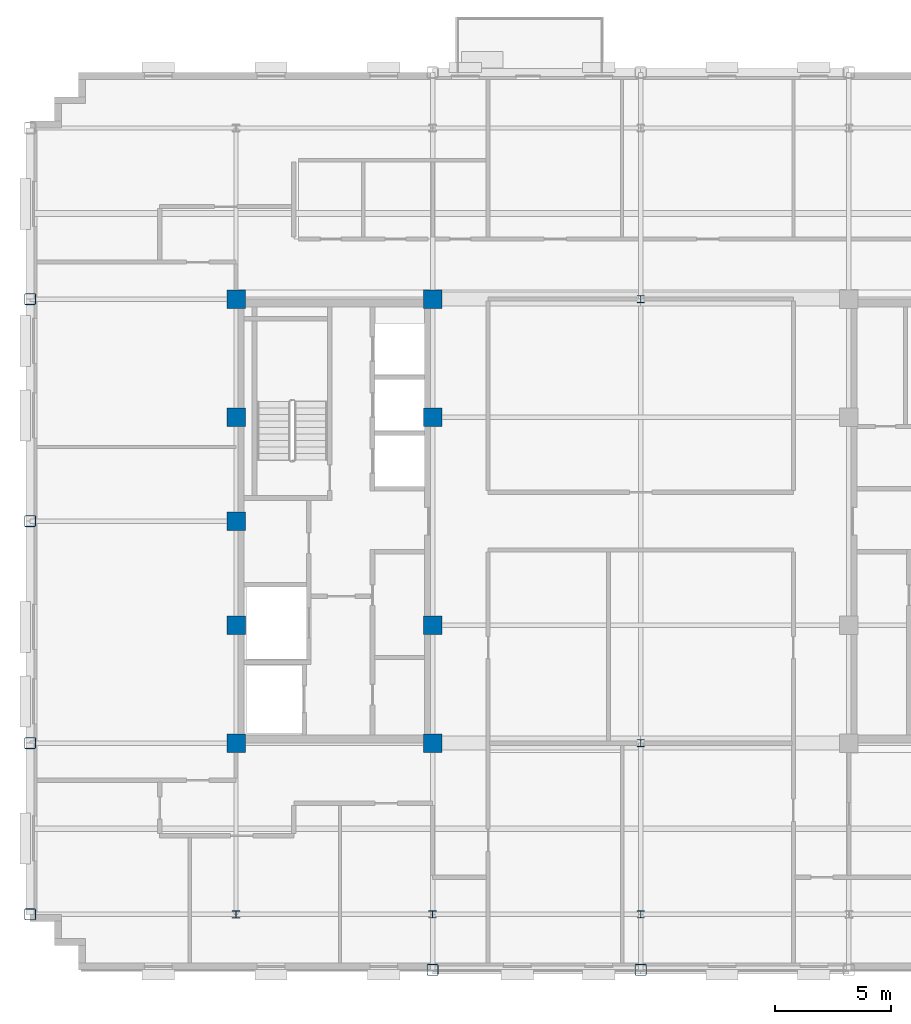
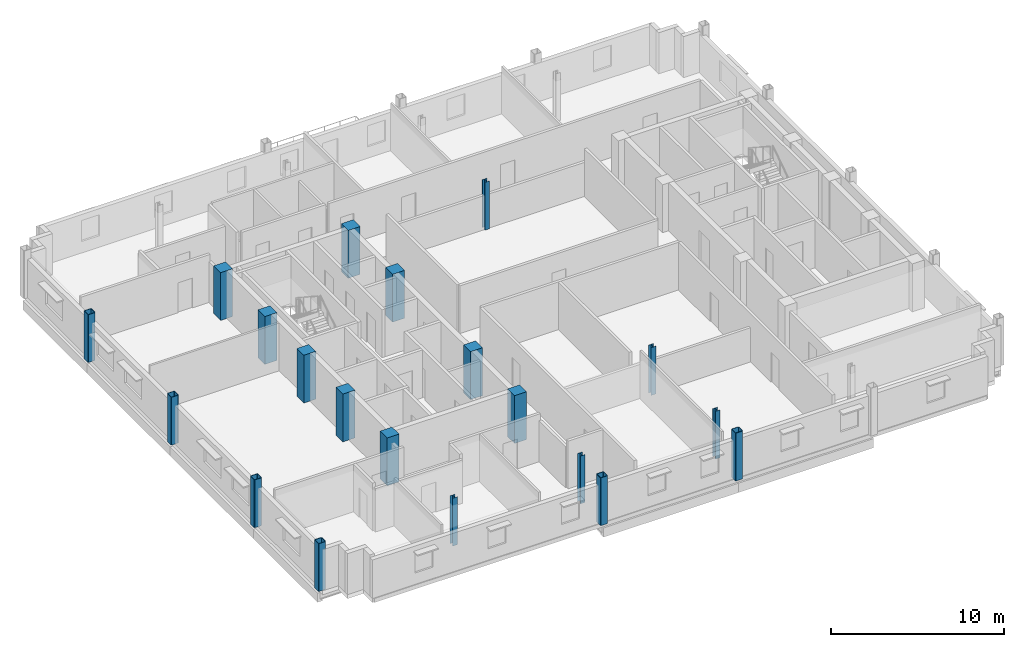
# One storey, part 1 of 14: 20 columns.
"""IFC4 building model written with IfcOpenShell, lengths in metres."""

import ifcopenshell
import ifcopenshell.guid

model = None  # the IFC model being written
_history = None  # IfcOwnerHistory: only IFC2X3 demands one
_inside = {}  # id of a spatial element -> (the spatial element, [elements in it])
_under = {}  # id of a project, library or spatial element -> (it, [spatial elements below it])
_declared = {}  # id of a project -> (the project, [libraries it declares])
_typed = {}  # id of a type object -> (the type object, [elements of that type])
_made_of = {}  # id of a material, layer set ... -> (it, [elements and type objects made of it])


def new_model(schema):
    """Start an empty IFC model of exactly this schema.

    Asked for "IFC4X3", IfcOpenShell would pick the latest addendum, in which some entities
    have other attributes; the version numbers below select the first issue.
    IFC2X3 requires an IfcOwnerHistory on every rooted entity: one is made here for all.
    """
    global model, _history
    if schema == "IFC4X3":
        model = ifcopenshell.file(schema_version=(4, 3, 0, 0))
    else:
        model = ifcopenshell.file(schema=schema)
    _inside.clear()
    _under.clear()
    _declared.clear()
    _typed.clear()
    _made_of.clear()
    _history = None
    if model.schema == "IFC2X3":
        org = make("IfcOrganization", Name="unknown")
        user = make(
            "IfcPersonAndOrganization",
            ThePerson=make("IfcPerson", FamilyName="unknown"),
            TheOrganization=org,
        )
        app = make(
            "IfcApplication",
            ApplicationDeveloper=org,
            Version="unknown",
            ApplicationFullName="unknown",
            ApplicationIdentifier="unknown",
        )
        _history = make(
            "IfcOwnerHistory",
            OwningUser=user,
            OwningApplication=app,
            ChangeAction="ADDED",
            CreationDate=0,
        )
    return model


def make(cls, **values):
    """One entity of the class cls with the attributes given. An attribute that is None is left unset."""
    return model.create_entity(
        cls, **{name: value for name, value in values.items() if value is not None}
    )


def rooted(cls, **values):
    """An entity with a GlobalId (a new one), such as an element, a storey or a relation."""
    return make(cls, GlobalId=ifcopenshell.guid.new(), OwnerHistory=_history, **values)


def si_unit(unit_type, name, prefix=None):
    """IfcSIUnit, for example si_unit("LENGTHUNIT", "METRE", prefix="MILLI")."""
    return make("IfcSIUnit", UnitType=unit_type, Prefix=prefix, Name=name)


def assignment(units):
    """IfcUnitAssignment: the units of a project."""
    return None if units is None else make("IfcUnitAssignment", Units=units)


def point(xyz):
    """IfcCartesianPoint."""
    return None if xyz is None else make("IfcCartesianPoint", Coordinates=xyz)


def direction(xyz):
    """IfcDirection."""
    return None if xyz is None else make("IfcDirection", DirectionRatios=xyz)


def frame(location, z_axis=None, x_axis=None):
    """IfcAxis2Placement3D, a coordinate frame: its origin and axes. An axis left out is left unset."""
    return make(
        "IfcAxis2Placement3D",
        Location=point(location),
        Axis=direction(z_axis),
        RefDirection=direction(x_axis),
    )


def frame_2d(location, x_axis=None):
    """IfcAxis2Placement2D, a coordinate frame in the plane: its origin and x axis."""
    return make(
        "IfcAxis2Placement2D", Location=point(location), RefDirection=direction(x_axis)
    )


def origin():
    """The frame at (0, 0, 0) with its axes left unset."""
    return frame((0.0, 0.0, 0.0))


def origin_2d():
    """The frame at (0, 0) in the plane with its x axis left unset."""
    return frame_2d((0.0, 0.0))


def place(relative_to, where):
    """IfcLocalPlacement: puts the frame where relative to a parent placement (None: the world)."""
    return make(
        "IfcLocalPlacement", PlacementRelTo=relative_to, RelativePlacement=where
    )


def context(
    kind, dimensions, precision=None, world=None, true_north=None, identifier=None
):
    """IfcGeometricRepresentationContext, for example the 3D "Model" context."""
    return make(
        "IfcGeometricRepresentationContext",
        ContextIdentifier=identifier,
        ContextType=kind,
        CoordinateSpaceDimension=dimensions,
        Precision=precision,
        WorldCoordinateSystem=world,
        TrueNorth=true_north,
    )


def subcontext(parent, identifier, kind, view, scale=None):
    """IfcGeometricRepresentationSubContext, for example "Body" below "Model"."""
    return make(
        "IfcGeometricRepresentationSubContext",
        ContextIdentifier=identifier,
        ContextType=kind,
        ParentContext=parent,
        TargetScale=scale,
        TargetView=view,
    )


def project(units=None, contexts=None):
    """IfcProject with its units and contexts."""
    return rooted(
        "IfcProject",
        Name="project",
        RepresentationContexts=contexts,
        UnitsInContext=assignment(units),
    )


def spatial(cls, under=None, at=None, **own):
    """A site, building, storey or space (cls), placed at a placement, below another one or the project."""
    s = rooted(cls, ObjectPlacement=at, **own)
    if under is not None:
        _under.setdefault(under.id(), (under, []))[1].append(s)
    return s


def profile(cls, at=None, kind="AREA", **sizes):
    """A parametric profile (cls). Its sizes go by their IFC names, for example OverallWidth=200.0."""
    return make(cls, ProfileType=kind, Position=at, **sizes)


def rectangle(**sizes):
    """IfcRectangleProfileDef."""
    return profile("IfcRectangleProfileDef", **sizes)


def hollow_rectangle(**sizes):
    """IfcRectangleHollowProfileDef."""
    return profile("IfcRectangleHollowProfileDef", **sizes)


def i_section(**sizes):
    """IfcIShapeProfileDef."""
    return profile("IfcIShapeProfileDef", **sizes)


def extrude(swept, where, along, depth):
    """IfcExtrudedAreaSolid: the profile swept, set in the frame where, extruded along a direction by depth."""
    return make(
        "IfcExtrudedAreaSolid",
        SweptArea=swept,
        Position=where,
        ExtrudedDirection=direction(along),
        Depth=depth,
    )


def shape(context_of_items, identifier, shape_type, items):
    """IfcShapeRepresentation: the items that make up one representation, for example the "Body"."""
    return make(
        "IfcShapeRepresentation",
        ContextOfItems=context_of_items,
        RepresentationIdentifier=identifier,
        RepresentationType=shape_type,
        Items=items,
    )


def material(Name=None, Category=None):
    """IfcMaterial."""
    return make("IfcMaterial", Name=Name, Category=Category)


def material_profile(
    of_material, cross_section, Name=None, Category=None, Priority=None
):
    """IfcMaterialProfile: a cross section and its material."""
    return make(
        "IfcMaterialProfile",
        Name=Name,
        Material=of_material,
        Profile=cross_section,
        Priority=Priority,
        Category=Category,
    )


def profile_set(profiles, Name=None, composite=None):
    """IfcMaterialProfileSet."""
    return make(
        "IfcMaterialProfileSet",
        Name=Name,
        MaterialProfiles=profiles,
        CompositeProfile=composite,
    )


def made_of(thing, what):
    """Note that an element or type object is made of a material, layer set ...; save() writes the relation."""
    if what is not None:
        _made_of.setdefault(what.id(), (what, []))[1].append(thing)
    return thing


def type_object(cls, material=None, **own):
    """A type object (cls), such as IfcWallType, which elements share."""
    return made_of(rooted(cls, **own), material)


def element(
    cls,
    number,
    at=None,
    inside=None,
    cuts=None,
    type_object=None,
    material=None,
    context=None,
    identifier="Body",
    shape_type=None,
    held_by="IfcProductDefinitionShape",
    body=None,
    shapes=None,
    **own,
):
    """One element of the class cls, such as IfcWall. Its Tag is "e" and its number.

    at: its placement. inside: the storey or other place that contains it. cuts: it is an
    opening in that element (IfcRelVoidsElement). A single representation is given by context,
    identifier, shape_type and body (its items); several are given by shapes. held_by: the class
    of the entity that holds the representations. save() writes the other relations.
    """
    e = rooted(cls, Tag="e%d" % number, ObjectPlacement=at, **own)
    if body is not None:
        shapes = [shape(context, identifier, shape_type, body)]
    if shapes is not None:
        e.Representation = make(held_by, Representations=shapes)
    if inside is not None:
        _inside.setdefault(inside.id(), (inside, []))[1].append(e)
    if cuts is not None:
        rooted(
            "IfcRelVoidsElement", RelatingBuildingElement=cuts, RelatedOpeningElement=e
        )
    if type_object is not None:
        _typed.setdefault(type_object.id(), (type_object, []))[1].append(e)
    return made_of(e, material)


def aggregate(whole, parts):
    """IfcRelAggregates: a whole, such as a stair, and the parts it consists of."""
    return rooted("IfcRelAggregates", RelatingObject=whole, RelatedObjects=parts)


def save(model, path):
    """Write the relations noted so far, then the file.

    IfcRelAggregates (storeys below a building ...), IfcRelContainedInSpatialStructure (elements
    in a storey), IfcRelDefinesByType, IfcRelAssociatesMaterial and IfcRelDeclares: one each for
    every whole, place, type object, material and project.
    """
    for whole, parts in _under.values():
        aggregate(whole, parts)
    for where, things in _inside.values():
        rooted(
            "IfcRelContainedInSpatialStructure",
            RelatedElements=things,
            RelatingStructure=where,
        )
    for kind, things in _typed.values():
        rooted("IfcRelDefinesByType", RelatedObjects=things, RelatingType=kind)
    for what, things in _made_of.values():
        rooted("IfcRelAssociatesMaterial", RelatedObjects=things, RelatingMaterial=what)
    for by, libraries in _declared.values():
        rooted("IfcRelDeclares", RelatingContext=by, RelatedDefinitions=libraries)
    model.write(path)


model = new_model("IFC4")

# Units and contexts
model_context = context("Model", 3, precision=1e-05, world=origin(), true_north=direction((0.0, 1.0)))
body_context = subcontext(model_context, "Body", "Model", "MODEL_VIEW")
ifc_project = project(units=[si_unit("LENGTHUNIT", "METRE"), si_unit("AREAUNIT", "SQUARE_METRE"), si_unit("VOLUMEUNIT", "CUBIC_METRE"), si_unit("PLANEANGLEUNIT", "RADIAN"), si_unit("MASSUNIT", "GRAM", prefix="KILO")], contexts=[model_context])

# Site, building, storey
site_placement = place(None, origin())
site = spatial("IfcSite", under=ifc_project, at=site_placement, CompositionType="ELEMENT")
building_placement = place(site_placement, origin())
building = spatial("IfcBuilding", under=site, at=building_placement, Name="Nuvemarco Arch Tower", CompositionType="ELEMENT")
storey_placement = place(building_placement, frame((0.0, 0.0, 238.35009765625)))
storey = spatial("IfcBuildingStorey", under=building, at=storey_placement, Name="L63", CompositionType="ELEMENT", Elevation=238.35009765625)

# Columns
ifc_material_1 = material(Name="Concrete C50/60", Category="concrete")
ifc_material_profile_1 = material_profile(ifc_material_1, rectangle(XDim=0.800048828125, YDim=0.800048828125, at=origin_2d()), Name="RC-COL-800x800")
ifc_profile_set_1 = profile_set([ifc_material_profile_1], Name="Concrete C50/60")
column_type_1 = type_object("IfcColumnType", Name="COL-CORE-800", PredefinedType="COLUMN", material=ifc_profile_set_1)
for number, where, z_axis, x_axis, name in (
    (1, (-17.5, -9.60009765625, 0.0), (0.0, 0.0, 1.0), (1.0, 0.0, 0.0), "L63 column CC_-17.5_-9.6"),
    (2, (-17.5, -4.5, 0.0), (0.0, 0.0, 1.0), (1.0, 0.0, 0.0), "L63 column CC_-17.5_-4.5"),
    (3, (-17.5, 4.5, 0.0), (0.0, 0.0, 1.0), (1.0, 0.0, 0.0), "L63 column CC_-17.5_+4.5"),
    (4, (-17.5, 9.60009765625, 0.0), (0.0, 0.0, 1.0), (1.0, 0.0, 0.0), "L63 column CC_-17.5_+9.6"),
    (5, (-9.0, -9.60009765625, 0.0), (0.0, 0.0, 1.0), (1.0, 0.0, 0.0), "L63 column CC_-9.0_-9.6"),
    (6, (-9.0, -4.5, 0.0), (0.0, 0.0, 1.0), (1.0, 0.0, 0.0), "L63 column CC_-9.0_-4.5"),
    (7, (-9.0, 4.5, 0.0), (0.0, 0.0, 1.0), (1.0, 0.0, 0.0), "L63 column CC_-9.0_+4.5"),
    (8, (-9.0, 9.60009765625, 0.0), (0.0, 0.0, 1.0), (1.0, 0.0, 0.0), "L63 column CC_-9.0_+9.6"),
    (9, (-17.5, 0.0, 0.0), (0.0, 0.0, 1.0), (1.0, 0.0, 0.0), "L63 column CC_-17.5_+0.0"),
):
    element("IfcColumn", number, at=place(storey_placement, frame(where, z_axis=z_axis, x_axis=x_axis)), inside=storey, type_object=column_type_1, Name=name, PredefinedType="COLUMN", context=body_context, shape_type="SweptSolid", body=[
        extrude(rectangle(XDim=0.800048828125, YDim=0.800048828125, at=origin_2d()), origin(), (0.0, 0.0, 1.0), 3.369873046875),
    ])
ifc_material_2 = material(Name="Steel S355", Category="steel")
ifc_material_profile_2 = material_profile(ifc_material_2, hollow_rectangle(XDim=0.5, YDim=0.5, WallThickness=0.031982421875, InnerFilletRadius=0.031982421875, OuterFilletRadius=0.06396484375, at=origin_2d()), Name="SHS500x500x32")
ifc_profile_set_2 = profile_set([ifc_material_profile_2], Name="Steel S355")
column_type_2 = type_object("IfcColumnType", Name="COL-EXO-500", PredefinedType="COLUMN", material=ifc_profile_set_2)
for number, where, z_axis, x_axis, name in (
    (10, (-26.39990234375, -17.0, 0.0), (0.0, 0.0, 1.0), (1.0, 0.0, 0.0), "L63 column CX_-26.4_-17.0"),
    (11, (-26.39990234375, -9.60009765625, 0.0), (0.0, 0.0, 1.0), (1.0, 0.0, 0.0), "L63 column CX_-26.4_-9.6"),
    (12, (-26.39990234375, 0.0, 0.0), (0.0, 0.0, 1.0), (1.0, 0.0, 0.0), "L63 column CX_-26.4_+0.0"),
    (13, (-26.39990234375, 9.60009765625, 0.0), (0.0, 0.0, 1.0), (1.0, 0.0, 0.0), "L63 column CX_-26.4_+9.6"),
    (14, (-9.0, -19.39990234375, 0.0), (0.0, 0.0, 1.0), (1.0, 0.0, 0.0), "L63 column CY_-9.0_-19.4"),
    (15, (0.0, -19.39990234375, 0.0), (0.0, 0.0, 1.0), (1.0, 0.0, 0.0), "L63 column CY_+0.0_-19.4"),
):
    element("IfcColumn", number, at=place(storey_placement, frame(where, z_axis=z_axis, x_axis=x_axis)), inside=storey, type_object=column_type_2, Name=name, PredefinedType="COLUMN", context=body_context, shape_type="SweptSolid", body=[
        extrude(hollow_rectangle(XDim=0.5, YDim=0.5, WallThickness=0.031982421875, InnerFilletRadius=0.031982421875, OuterFilletRadius=0.06396484375, at=origin_2d()), origin(), (0.0, 0.0, 1.0), 3.369873046875),
    ])
ifc_material_profile_3 = material_profile(ifc_material_2, i_section(OverallWidth=0.31005859375, OverallDepth=0.31005859375, WebThickness=0.015380859375, FlangeThickness=0.015380859375, FilletRadius=0.014892578125, at=origin_2d()), Name="HP310x110")
ifc_profile_set_3 = profile_set([ifc_material_profile_3], Name="Steel S355")
column_type_3 = type_object("IfcColumnType", Name="COL-STL-HP310", PredefinedType="COLUMN", material=ifc_profile_set_3)
for number, where, z_axis, x_axis, name in (
    (16, (0.0, -17.0, 0.0), (0.0, 0.0, 1.0), (1.0, 0.0, 0.0), "L63 column CI_+0.0_-17.0"),
    (17, (0.0, -9.60009765625, 0.0), (0.0, 0.0, 1.0), (1.0, 0.0, 0.0), "L63 column CI_+0.0_-9.6"),
    (18, (0.0, 9.60009765625, 0.0), (0.0, 0.0, 1.0), (1.0, 0.0, 0.0), "L63 column CI_+0.0_+9.6"),
    (19, (-17.5, -17.0, 0.0), (0.0, 0.0, 1.0), (1.0, 0.0, 0.0), "L63 column CI_-17.5_-17.0"),
    (20, (-9.0, -17.0, 0.0), (0.0, 0.0, 1.0), (1.0, 0.0, 0.0), "L63 column CI_-9.0_-17.0"),
):
    element("IfcColumn", number, at=place(storey_placement, frame(where, z_axis=z_axis, x_axis=x_axis)), inside=storey, type_object=column_type_3, Name=name, PredefinedType="COLUMN", context=body_context, shape_type="SweptSolid", body=[
        extrude(i_section(OverallWidth=0.31005859375, OverallDepth=0.31005859375, WebThickness=0.015380859375, FlangeThickness=0.015380859375, FilletRadius=0.014892578125, at=origin_2d()), origin(), (0.0, 0.0, 1.0), 3.369873046875),
    ])

save(model, "model.ifc")
